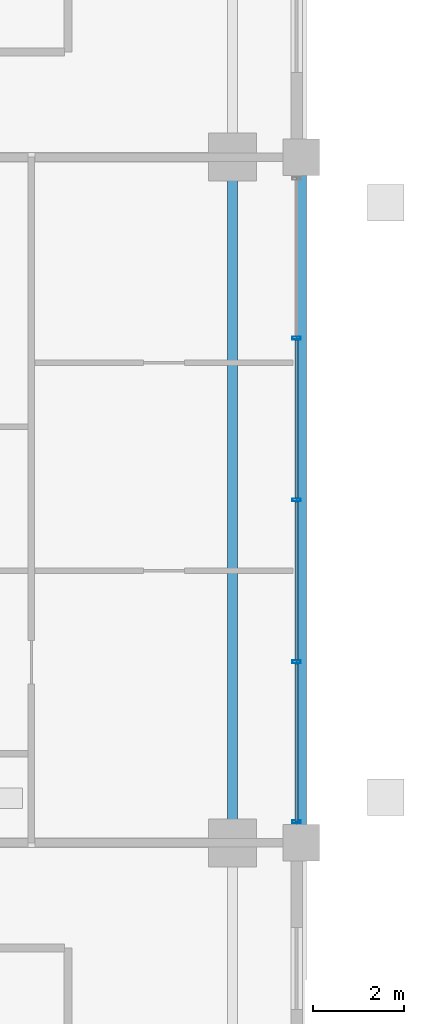
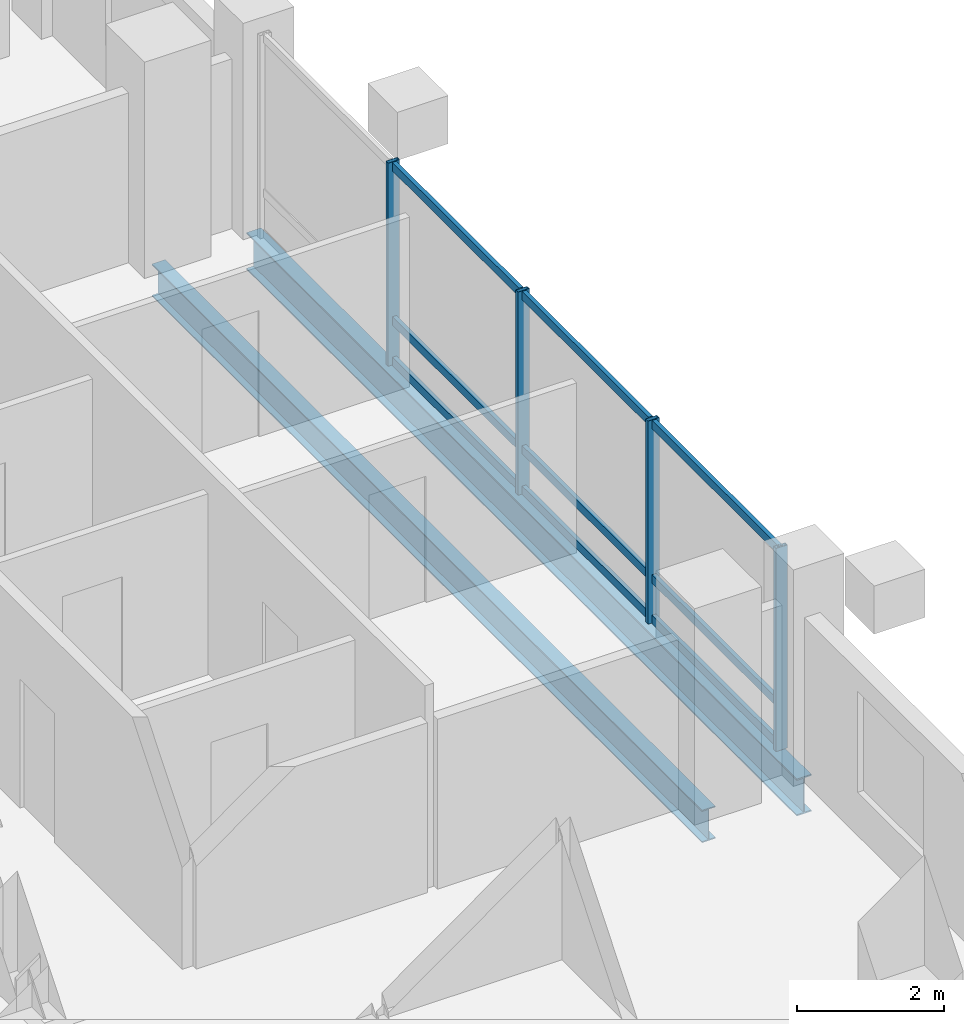
# One storey, part 10 of 24: 13 members, 2 beams, 1 element without a shape of its own.
"""IFC4 building model written with IfcOpenShell, lengths in metres."""

import ifcopenshell
import ifcopenshell.guid

model = None  # the IFC model being written
_history = None  # IfcOwnerHistory: only IFC2X3 demands one
_inside = {}  # id of a spatial element -> (the spatial element, [elements in it])
_under = {}  # id of a project, library or spatial element -> (it, [spatial elements below it])
_declared = {}  # id of a project -> (the project, [libraries it declares])
_typed = {}  # id of a type object -> (the type object, [elements of that type])
_made_of = {}  # id of a material, layer set ... -> (it, [elements and type objects made of it])


def new_model(schema):
    """Start an empty IFC model of exactly this schema.

    Asked for "IFC4X3", IfcOpenShell would pick the latest addendum, in which some entities
    have other attributes; the version numbers below select the first issue.
    IFC2X3 requires an IfcOwnerHistory on every rooted entity: one is made here for all.
    """
    global model, _history
    if schema == "IFC4X3":
        model = ifcopenshell.file(schema_version=(4, 3, 0, 0))
    else:
        model = ifcopenshell.file(schema=schema)
    _inside.clear()
    _under.clear()
    _declared.clear()
    _typed.clear()
    _made_of.clear()
    _history = None
    if model.schema == "IFC2X3":
        org = make("IfcOrganization", Name="unknown")
        user = make(
            "IfcPersonAndOrganization",
            ThePerson=make("IfcPerson", FamilyName="unknown"),
            TheOrganization=org,
        )
        app = make(
            "IfcApplication",
            ApplicationDeveloper=org,
            Version="unknown",
            ApplicationFullName="unknown",
            ApplicationIdentifier="unknown",
        )
        _history = make(
            "IfcOwnerHistory",
            OwningUser=user,
            OwningApplication=app,
            ChangeAction="ADDED",
            CreationDate=0,
        )
    return model


def make(cls, **values):
    """One entity of the class cls with the attributes given. An attribute that is None is left unset."""
    return model.create_entity(
        cls, **{name: value for name, value in values.items() if value is not None}
    )


def rooted(cls, **values):
    """An entity with a GlobalId (a new one), such as an element, a storey or a relation."""
    return make(cls, GlobalId=ifcopenshell.guid.new(), OwnerHistory=_history, **values)


def si_unit(unit_type, name, prefix=None):
    """IfcSIUnit, for example si_unit("LENGTHUNIT", "METRE", prefix="MILLI")."""
    return make("IfcSIUnit", UnitType=unit_type, Prefix=prefix, Name=name)


def assignment(units):
    """IfcUnitAssignment: the units of a project."""
    return None if units is None else make("IfcUnitAssignment", Units=units)


def point(xyz):
    """IfcCartesianPoint."""
    return None if xyz is None else make("IfcCartesianPoint", Coordinates=xyz)


def direction(xyz):
    """IfcDirection."""
    return None if xyz is None else make("IfcDirection", DirectionRatios=xyz)


def frame(location, z_axis=None, x_axis=None):
    """IfcAxis2Placement3D, a coordinate frame: its origin and axes. An axis left out is left unset."""
    return make(
        "IfcAxis2Placement3D",
        Location=point(location),
        Axis=direction(z_axis),
        RefDirection=direction(x_axis),
    )


def frame_2d(location, x_axis=None):
    """IfcAxis2Placement2D, a coordinate frame in the plane: its origin and x axis."""
    return make(
        "IfcAxis2Placement2D", Location=point(location), RefDirection=direction(x_axis)
    )


def origin():
    """The frame at (0, 0, 0) with its axes left unset."""
    return frame((0.0, 0.0, 0.0))


def origin_2d():
    """The frame at (0, 0) in the plane with its x axis left unset."""
    return frame_2d((0.0, 0.0))


def place(relative_to, where):
    """IfcLocalPlacement: puts the frame where relative to a parent placement (None: the world)."""
    return make(
        "IfcLocalPlacement", PlacementRelTo=relative_to, RelativePlacement=where
    )


def context(
    kind, dimensions, precision=None, world=None, true_north=None, identifier=None
):
    """IfcGeometricRepresentationContext, for example the 3D "Model" context."""
    return make(
        "IfcGeometricRepresentationContext",
        ContextIdentifier=identifier,
        ContextType=kind,
        CoordinateSpaceDimension=dimensions,
        Precision=precision,
        WorldCoordinateSystem=world,
        TrueNorth=true_north,
    )


def subcontext(parent, identifier, kind, view, scale=None):
    """IfcGeometricRepresentationSubContext, for example "Body" below "Model"."""
    return make(
        "IfcGeometricRepresentationSubContext",
        ContextIdentifier=identifier,
        ContextType=kind,
        ParentContext=parent,
        TargetScale=scale,
        TargetView=view,
    )


def project(units=None, contexts=None):
    """IfcProject with its units and contexts."""
    return rooted(
        "IfcProject",
        Name="project",
        RepresentationContexts=contexts,
        UnitsInContext=assignment(units),
    )


def spatial(cls, under=None, at=None, **own):
    """A site, building, storey or space (cls), placed at a placement, below another one or the project."""
    s = rooted(cls, ObjectPlacement=at, **own)
    if under is not None:
        _under.setdefault(under.id(), (under, []))[1].append(s)
    return s


def profile(cls, at=None, kind="AREA", **sizes):
    """A parametric profile (cls). Its sizes go by their IFC names, for example OverallWidth=200.0."""
    return make(cls, ProfileType=kind, Position=at, **sizes)


def hollow_rectangle(**sizes):
    """IfcRectangleHollowProfileDef."""
    return profile("IfcRectangleHollowProfileDef", **sizes)


def i_section(**sizes):
    """IfcIShapeProfileDef."""
    return profile("IfcIShapeProfileDef", **sizes)


def extrude(swept, where, along, depth):
    """IfcExtrudedAreaSolid: the profile swept, set in the frame where, extruded along a direction by depth."""
    return make(
        "IfcExtrudedAreaSolid",
        SweptArea=swept,
        Position=where,
        ExtrudedDirection=direction(along),
        Depth=depth,
    )


def shape(context_of_items, identifier, shape_type, items):
    """IfcShapeRepresentation: the items that make up one representation, for example the "Body"."""
    return make(
        "IfcShapeRepresentation",
        ContextOfItems=context_of_items,
        RepresentationIdentifier=identifier,
        RepresentationType=shape_type,
        Items=items,
    )


def material(Name=None, Category=None):
    """IfcMaterial."""
    return make("IfcMaterial", Name=Name, Category=Category)


def layer(
    of_material, thickness, ventilated=None, Name=None, Category=None, Priority=None
):
    """IfcMaterialLayer: one layer of a wall or slab, of a material (None: an air gap)."""
    return make(
        "IfcMaterialLayer",
        Material=of_material,
        LayerThickness=thickness,
        IsVentilated=ventilated,
        Name=Name,
        Category=Category,
        Priority=Priority,
    )


def layer_set(layers, Name=None):
    """IfcMaterialLayerSet."""
    return make("IfcMaterialLayerSet", MaterialLayers=layers, LayerSetName=Name)


def material_profile(
    of_material, cross_section, Name=None, Category=None, Priority=None
):
    """IfcMaterialProfile: a cross section and its material."""
    return make(
        "IfcMaterialProfile",
        Name=Name,
        Material=of_material,
        Profile=cross_section,
        Priority=Priority,
        Category=Category,
    )


def profile_set(profiles, Name=None, composite=None):
    """IfcMaterialProfileSet."""
    return make(
        "IfcMaterialProfileSet",
        Name=Name,
        MaterialProfiles=profiles,
        CompositeProfile=composite,
    )


def made_of(thing, what):
    """Note that an element or type object is made of a material, layer set ...; save() writes the relation."""
    if what is not None:
        _made_of.setdefault(what.id(), (what, []))[1].append(thing)
    return thing


def type_object(cls, material=None, **own):
    """A type object (cls), such as IfcWallType, which elements share."""
    return made_of(rooted(cls, **own), material)


def element(
    cls,
    number,
    at=None,
    inside=None,
    cuts=None,
    type_object=None,
    material=None,
    context=None,
    identifier="Body",
    shape_type=None,
    held_by="IfcProductDefinitionShape",
    body=None,
    shapes=None,
    **own,
):
    """One element of the class cls, such as IfcWall. Its Tag is "e" and its number.

    at: its placement. inside: the storey or other place that contains it. cuts: it is an
    opening in that element (IfcRelVoidsElement). A single representation is given by context,
    identifier, shape_type and body (its items); several are given by shapes. held_by: the class
    of the entity that holds the representations. save() writes the other relations.
    """
    e = rooted(cls, Tag="e%d" % number, ObjectPlacement=at, **own)
    if body is not None:
        shapes = [shape(context, identifier, shape_type, body)]
    if shapes is not None:
        e.Representation = make(held_by, Representations=shapes)
    if inside is not None:
        _inside.setdefault(inside.id(), (inside, []))[1].append(e)
    if cuts is not None:
        rooted(
            "IfcRelVoidsElement", RelatingBuildingElement=cuts, RelatedOpeningElement=e
        )
    if type_object is not None:
        _typed.setdefault(type_object.id(), (type_object, []))[1].append(e)
    return made_of(e, material)


def aggregate(whole, parts):
    """IfcRelAggregates: a whole, such as a stair, and the parts it consists of."""
    return rooted("IfcRelAggregates", RelatingObject=whole, RelatedObjects=parts)


def save(model, path):
    """Write the relations noted so far, then the file.

    IfcRelAggregates (storeys below a building ...), IfcRelContainedInSpatialStructure (elements
    in a storey), IfcRelDefinesByType, IfcRelAssociatesMaterial and IfcRelDeclares: one each for
    every whole, place, type object, material and project.
    """
    for whole, parts in _under.values():
        aggregate(whole, parts)
    for where, things in _inside.values():
        rooted(
            "IfcRelContainedInSpatialStructure",
            RelatedElements=things,
            RelatingStructure=where,
        )
    for kind, things in _typed.values():
        rooted("IfcRelDefinesByType", RelatedObjects=things, RelatingType=kind)
    for what, things in _made_of.values():
        rooted("IfcRelAssociatesMaterial", RelatedObjects=things, RelatingMaterial=what)
    for by, libraries in _declared.values():
        rooted("IfcRelDeclares", RelatingContext=by, RelatedDefinitions=libraries)
    model.write(path)


model = new_model("IFC4")

# Units and contexts
model_context = context("Model", 3, precision=1e-05, world=origin(), true_north=direction((0.0, 1.0)))
body_context = subcontext(model_context, "Body", "Model", "MODEL_VIEW")
ifc_project = project(units=[si_unit("LENGTHUNIT", "METRE"), si_unit("AREAUNIT", "SQUARE_METRE"), si_unit("VOLUMEUNIT", "CUBIC_METRE"), si_unit("PLANEANGLEUNIT", "RADIAN"), si_unit("MASSUNIT", "GRAM", prefix="KILO")], contexts=[model_context])

# Site, building, storey
site_placement = place(None, origin())
site = spatial("IfcSite", under=ifc_project, at=site_placement, CompositionType="ELEMENT")
building_placement = place(site_placement, origin())
building = spatial("IfcBuilding", under=site, at=building_placement, Name="Barlavira Tower and Art Museum", CompositionType="ELEMENT")
storey_placement = place(building_placement, frame((0.0, 0.0, 180.0)))
storey = spatial("IfcBuildingStorey", under=building, at=storey_placement, Name="L46", CompositionType="ELEMENT", Elevation=180.0)

# Curtain wall, members
ifc_material_1 = material(Name="Low-iron coastal laminated glass", Category="glass")
ifc_layer = layer(ifc_material_1, 0.199951171875, Name="Low-iron coastal laminated glass")
ifc_layer_set = layer_set([ifc_layer], Name="Low-iron coastal laminated glass")
curtain_wall_type = type_object("IfcCurtainWallType", Name="Pale-Metal Unitised Curtain Wall Zone 3", PredefinedType="NOTDEFINED", material=ifc_layer_set)
curtain_wall_placement = place(storey_placement, origin())
curtain_wall = element("IfcCurtainWall", 1, at=curtain_wall_placement, inside=storey, type_object=curtain_wall_type, Name="L46 Curtain Wall CW3-L46-E-B3", PredefinedType="NOTDEFINED")
ifc_material_2 = material(Name="Pale anodised aluminium", Category="aluminium")
ifc_material_profile_1 = material_profile(ifc_material_2, hollow_rectangle(XDim=0.06494140625, YDim=0.179931640625, WallThickness=0.00390625, at=origin_2d()), Name="ALU-MULL 65x180x4")
ifc_profile_set_1 = profile_set([ifc_material_profile_1], Name="Pale anodised aluminium")
member_type_1 = type_object("IfcMemberType", Name="Curtain Wall Pale-Metal Mullion 65x180", PredefinedType="MULLION", material=ifc_profile_set_1)
member_1_placement = place(storey_placement, frame((18.39990234375, -7.034912109375, 0.0), z_axis=(0.0, 0.0, 1.0), x_axis=(0.0, 1.0, 0.0)))
member_1 = element("IfcMember", 2, at=member_1_placement, type_object=member_type_1, Name="CW3-L46-E-B3 Mullion 0", PredefinedType="MULLION", context=body_context, shape_type="SweptSolid", body=[
    extrude(hollow_rectangle(XDim=0.06494140625, YDim=0.179931640625, WallThickness=0.00390625, at=origin_2d()), origin(), (0.0, 0.0, 1.0), 3.3798828125),
])
member_2_placement = place(storey_placement, frame((18.39990234375, -3.5400390625, 0.0), z_axis=(0.0, 0.0, 1.0), x_axis=(0.0, 1.0, 0.0)))
member_2 = element("IfcMember", 3, at=member_2_placement, type_object=member_type_1, Name="CW3-L46-E-B3 Mullion 1", PredefinedType="MULLION", context=body_context, shape_type="SweptSolid", body=[
    extrude(hollow_rectangle(XDim=0.06494140625, YDim=0.179931640625, WallThickness=0.00390625, at=origin_2d()), origin(), (0.0, 0.0, 1.0), 3.3798828125),
])
member_3_placement = place(storey_placement, frame((18.39990234375, 0.0, 0.0), z_axis=(0.0, 0.0, 1.0), x_axis=(0.0, 1.0, 0.0)))
member_3 = element("IfcMember", 4, at=member_3_placement, type_object=member_type_1, Name="CW3-L46-E-B3 Mullion 2", PredefinedType="MULLION", context=body_context, shape_type="SweptSolid", body=[
    extrude(hollow_rectangle(XDim=0.06494140625, YDim=0.179931640625, WallThickness=0.00390625, at=origin_2d()), origin(), (0.0, 0.0, 1.0), 3.3798828125),
])
member_4_placement = place(storey_placement, frame((18.39990234375, 3.5400390625, 0.0), z_axis=(0.0, 0.0, 1.0), x_axis=(0.0, 1.0, 0.0)))
member_4 = element("IfcMember", 5, at=member_4_placement, type_object=member_type_1, Name="CW3-L46-E-B3 Mullion 3", PredefinedType="MULLION", context=body_context, shape_type="SweptSolid", body=[
    extrude(hollow_rectangle(XDim=0.06494140625, YDim=0.179931640625, WallThickness=0.00390625, at=origin_2d()), origin(), (0.0, 0.0, 1.0), 3.3798828125),
])
ifc_material_profile_2 = material_profile(ifc_material_2, hollow_rectangle(XDim=0.06494140625, YDim=0.139892578125, WallThickness=0.00390625, at=origin_2d()), Name="ALU-TRAN 65x140x4")
ifc_profile_set_2 = profile_set([ifc_material_profile_2], Name="Pale anodised aluminium")
member_type_2 = type_object("IfcMemberType", Name="Curtain Wall Pale-Metal Transom 65x140", PredefinedType="USERDEFINED", material=ifc_profile_set_2)
member_5_placement = place(storey_placement, frame((18.39990234375, -7.034912109375, 0.070068359375), z_axis=(0.0, 1.0, 0.0), x_axis=(-1.0, 0.0, 0.0)))
member_5 = element("IfcMember", 6, at=member_5_placement, type_object=member_type_2, Name="CW3-L46-E-B3 Transom 0.1", ObjectType="TRANSOM", PredefinedType="USERDEFINED", context=body_context, shape_type="SweptSolid", body=[
    extrude(hollow_rectangle(XDim=0.06494140625, YDim=0.139892578125, WallThickness=0.00390625, at=origin_2d()), origin(), (0.0, 0.0, 1.0), 3.449951171875),
])
member_6_placement = place(storey_placement, frame((18.39990234375, -7.034912109375, 0.743896484375), z_axis=(0.0, 1.0, 0.0), x_axis=(-1.0, 0.0, 0.0)))
member_6 = element("IfcMember", 7, at=member_6_placement, type_object=member_type_2, Name="CW3-L46-E-B3 Transom 0.2", ObjectType="TRANSOM", PredefinedType="USERDEFINED", context=body_context, shape_type="SweptSolid", body=[
    extrude(hollow_rectangle(XDim=0.06494140625, YDim=0.139892578125, WallThickness=0.00390625, at=origin_2d()), origin(), (0.0, 0.0, 1.0), 3.449951171875),
])
member_7_placement = place(storey_placement, frame((18.39990234375, -7.034912109375, 3.31005859375), z_axis=(0.0, 1.0, 0.0), x_axis=(-1.0, 0.0, 0.0)))
member_7 = element("IfcMember", 8, at=member_7_placement, type_object=member_type_2, Name="CW3-L46-E-B3 Transom 0.3", ObjectType="TRANSOM", PredefinedType="USERDEFINED", context=body_context, shape_type="SweptSolid", body=[
    extrude(hollow_rectangle(XDim=0.06494140625, YDim=0.139892578125, WallThickness=0.00390625, at=origin_2d()), origin(), (0.0, 0.0, 1.0), 3.449951171875),
])
member_8_placement = place(storey_placement, frame((18.39990234375, -3.4951171875, 0.070068359375), z_axis=(0.0, 1.0, 0.0), x_axis=(-1.0, 0.0, 0.0)))
member_8 = element("IfcMember", 9, at=member_8_placement, type_object=member_type_2, Name="CW3-L46-E-B3 Transom 1.1", ObjectType="TRANSOM", PredefinedType="USERDEFINED", context=body_context, shape_type="SweptSolid", body=[
    extrude(hollow_rectangle(XDim=0.06494140625, YDim=0.139892578125, WallThickness=0.00390625, at=origin_2d()), origin(), (0.0, 0.0, 1.0), 3.4501953125),
])
member_9_placement = place(storey_placement, frame((18.39990234375, -3.4951171875, 0.743896484375), z_axis=(0.0, 1.0, 0.0), x_axis=(-1.0, 0.0, 0.0)))
member_9 = element("IfcMember", 10, at=member_9_placement, type_object=member_type_2, Name="CW3-L46-E-B3 Transom 1.2", ObjectType="TRANSOM", PredefinedType="USERDEFINED", context=body_context, shape_type="SweptSolid", body=[
    extrude(hollow_rectangle(XDim=0.06494140625, YDim=0.139892578125, WallThickness=0.00390625, at=origin_2d()), origin(), (0.0, 0.0, 1.0), 3.4501953125),
])
member_10_placement = place(storey_placement, frame((18.39990234375, -3.4951171875, 3.31005859375), z_axis=(0.0, 1.0, 0.0), x_axis=(-1.0, 0.0, 0.0)))
member_10 = element("IfcMember", 11, at=member_10_placement, type_object=member_type_2, Name="CW3-L46-E-B3 Transom 1.3", ObjectType="TRANSOM", PredefinedType="USERDEFINED", context=body_context, shape_type="SweptSolid", body=[
    extrude(hollow_rectangle(XDim=0.06494140625, YDim=0.139892578125, WallThickness=0.00390625, at=origin_2d()), origin(), (0.0, 0.0, 1.0), 3.4501953125),
])
member_11_placement = place(storey_placement, frame((18.39990234375, 0.044921875, 0.070068359375), z_axis=(0.0, 1.0, 0.0), x_axis=(-1.0, 0.0, 0.0)))
member_11 = element("IfcMember", 12, at=member_11_placement, type_object=member_type_2, Name="CW3-L46-E-B3 Transom 2.1", ObjectType="TRANSOM", PredefinedType="USERDEFINED", context=body_context, shape_type="SweptSolid", body=[
    extrude(hollow_rectangle(XDim=0.06494140625, YDim=0.139892578125, WallThickness=0.00390625, at=origin_2d()), origin(), (0.0, 0.0, 1.0), 3.4501953125),
])
member_12_placement = place(storey_placement, frame((18.39990234375, 0.044921875, 0.743896484375), z_axis=(0.0, 1.0, 0.0), x_axis=(-1.0, 0.0, 0.0)))
member_12 = element("IfcMember", 13, at=member_12_placement, type_object=member_type_2, Name="CW3-L46-E-B3 Transom 2.2", ObjectType="TRANSOM", PredefinedType="USERDEFINED", context=body_context, shape_type="SweptSolid", body=[
    extrude(hollow_rectangle(XDim=0.06494140625, YDim=0.139892578125, WallThickness=0.00390625, at=origin_2d()), origin(), (0.0, 0.0, 1.0), 3.4501953125),
])
member_13_placement = place(storey_placement, frame((18.39990234375, 0.044921875, 3.31005859375), z_axis=(0.0, 1.0, 0.0), x_axis=(-1.0, 0.0, 0.0)))
member_13 = element("IfcMember", 14, at=member_13_placement, type_object=member_type_2, Name="CW3-L46-E-B3 Transom 2.3", ObjectType="TRANSOM", PredefinedType="USERDEFINED", context=body_context, shape_type="SweptSolid", body=[
    extrude(hollow_rectangle(XDim=0.06494140625, YDim=0.139892578125, WallThickness=0.00390625, at=origin_2d()), origin(), (0.0, 0.0, 1.0), 3.4501953125),
])
aggregate(curtain_wall, [member_1, member_2, member_3, member_4, member_5, member_6, member_7, member_8, member_9, member_10, member_11, member_12, member_13])

# Beams
ifc_material_3 = material(Name="Steel S355", Category="steel")
ifc_material_profile_3 = material_profile(ifc_material_3, i_section(OverallWidth=0.22998046875, OverallDepth=0.616943359375, WebThickness=0.01318359375, FlangeThickness=0.022216796875, at=origin_2d()), Name="W610x140.0")
ifc_profile_set_3 = profile_set([ifc_material_profile_3], Name="Steel S355")
beam_type_1 = type_object("IfcBeamType", Name="Upper Shaft Spandrel Edge Beam W610x140 Steel S355", PredefinedType="SPANDREL", material=ifc_profile_set_3)
beam_1_placement = place(storey_placement, frame((18.5, -7.5, -0.528564453125), z_axis=(0.0, 1.0, 0.0), x_axis=(-1.0, 0.0, 0.0)))
element("IfcBeam", 15, at=beam_1_placement, inside=storey, type_object=beam_type_1, Name="L46 Spandrel 6", PredefinedType="SPANDREL", context=body_context, shape_type="SweptSolid", body=[
    extrude(i_section(OverallWidth=0.22998046875, OverallDepth=0.616943359375, WebThickness=0.01318359375, FlangeThickness=0.022216796875, at=origin_2d()), origin(), (0.0, 0.0, 1.0), 15.0),
])
ifc_material_profile_4 = material_profile(ifc_material_3, i_section(OverallWidth=0.2109375, OverallDepth=0.5390625, WebThickness=0.01171875, FlangeThickness=0.018798828125, at=origin_2d()), Name="W530x109.0")
ifc_profile_set_4 = profile_set([ifc_material_profile_4], Name="Steel S355")
beam_type_2 = type_object("IfcBeamType", Name="Zone 3-4 Primary Floor Girder W530x109 Steel S355", PredefinedType="BEAM", material=ifc_profile_set_4)
beam_2_placement = place(storey_placement, frame((17.0, -7.5, -0.489501953125), z_axis=(0.0, 1.0, 0.0), x_axis=(-1.0, 0.0, 0.0)))
element("IfcBeam", 16, at=beam_2_placement, inside=storey, type_object=beam_type_2, Name="L46 Girder M-E2", PredefinedType="BEAM", context=body_context, shape_type="SweptSolid", body=[
    extrude(i_section(OverallWidth=0.2109375, OverallDepth=0.5390625, WebThickness=0.01171875, FlangeThickness=0.018798828125, at=origin_2d()), origin(), (0.0, 0.0, 1.0), 15.0),
])

save(model, "model.ifc")
